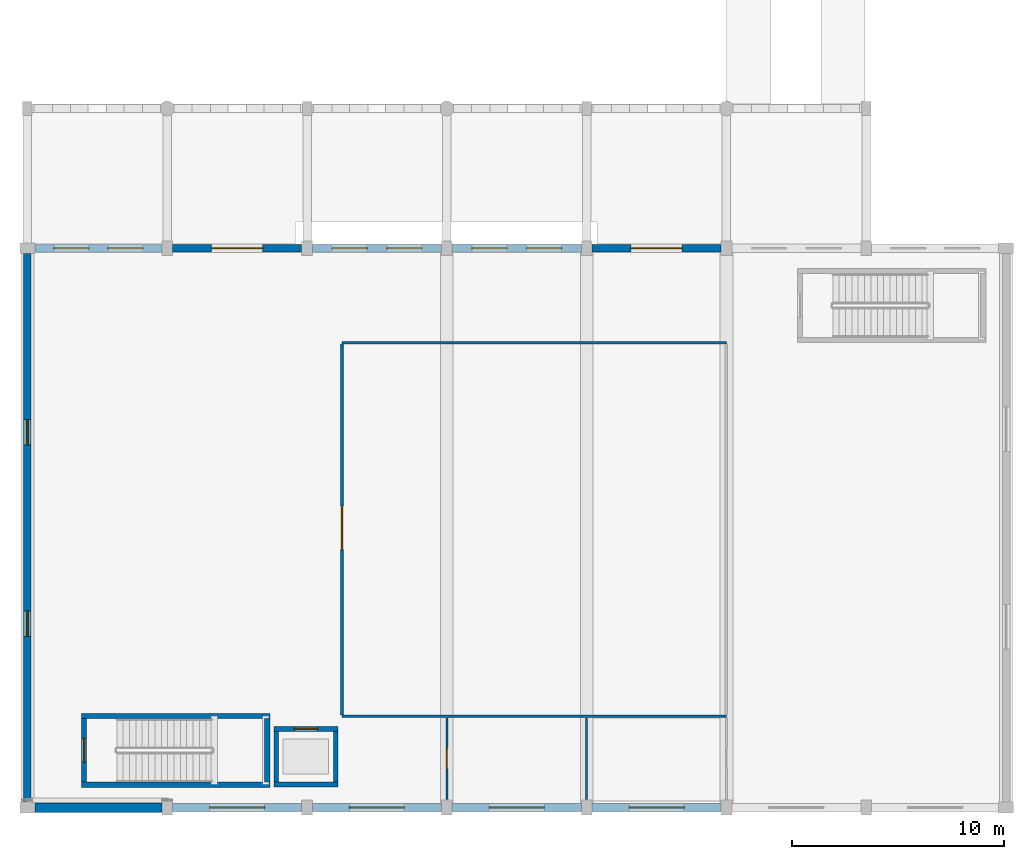
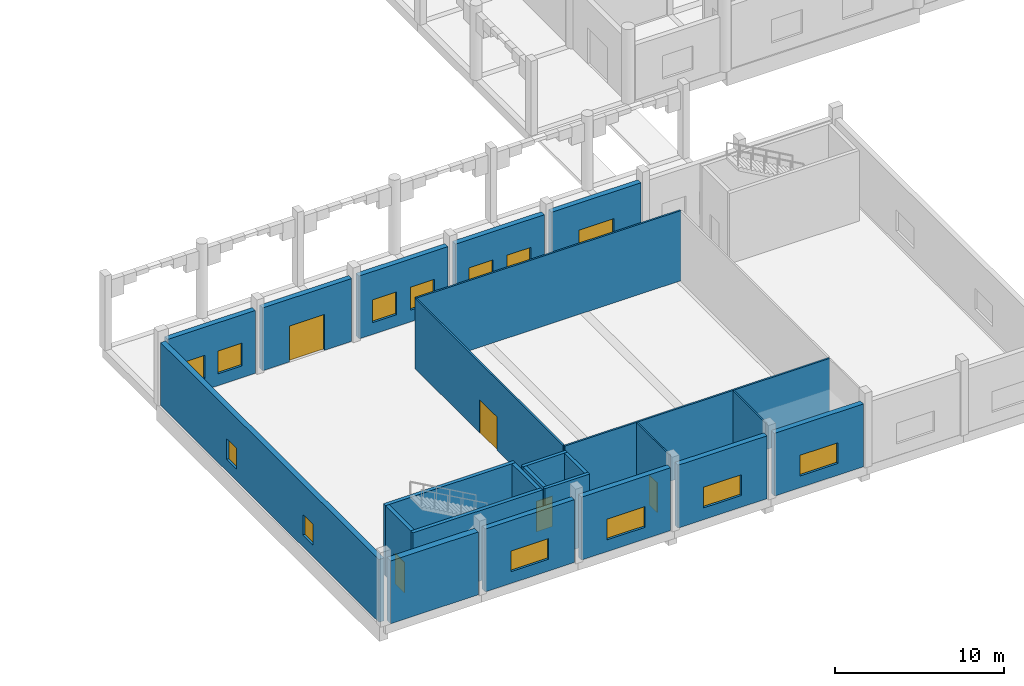
# One storey, part 44 of 72: 24 walls, 12 windows, 6 doors, 18 openings.
"""IFC4 building model written with IfcOpenShell, lengths in metres."""

from ifc_helpers import new_model, si_unit, direction, frame, frame_2d, origin, place, context, subcontext, project, spatial, rectangle, extrude, material, layer, layer_set, type_object, element, fill, save


model = new_model("IFC4")

# Units and contexts
model_context = context("Model", 3, precision=1e-05, world=origin(), true_north=direction((0.0, 1.0)))
body_context = subcontext(model_context, "Body", "Model", "MODEL_VIEW")
ifc_project = project(units=[si_unit("LENGTHUNIT", "METRE"), si_unit("AREAUNIT", "SQUARE_METRE"), si_unit("VOLUMEUNIT", "CUBIC_METRE"), si_unit("PLANEANGLEUNIT", "RADIAN"), si_unit("MASSUNIT", "GRAM", prefix="KILO")], contexts=[model_context])

# Site, building, storey
site_placement = place(None, origin())
site = spatial("IfcSite", under=ifc_project, at=site_placement, CompositionType="ELEMENT")
building_placement = place(site_placement, origin())
building = spatial("IfcBuilding", under=site, at=building_placement, Name="Dornvale Research Institute", CompositionType="ELEMENT")
storey_placement = place(building_placement, origin())
storey = spatial("IfcBuildingStorey", under=building, at=storey_placement, Name="L00", CompositionType="ELEMENT", Elevation=0.0)

# Walls
ifc_material_1 = material(Name="Acoustic Insulated Double-Stud Laboratory Partition")
ifc_layer_1 = layer(ifc_material_1, 0.1201171875)
ifc_layer_set_1 = layer_set([ifc_layer_1], Name="Acoustic Insulated Double-Stud Laboratory Partition")
wall_type_1 = type_object("IfcWallType", Name="Partition_Dry_120", PredefinedType="PARTITIONING", material=ifc_layer_set_1)
for number, where, z_axis, x_axis, name in (
    (1, (14.85009765625, 4.300048828125, 0.0), (0.0, 0.0, 1.0), (1.0, 0.0, 0.0), "L00 V1 interior partition #142"),
    (2, (14.85009765625, 21.949951171875, 0.0), (0.0, 0.0, 1.0), (1.0, 0.0, 0.0), "L00 V1 interior partition #143"),
):
    element("IfcWall", number, at=place(storey_placement, frame(where, z_axis=z_axis, x_axis=x_axis)), inside=storey, type_object=wall_type_1, Name=name, PredefinedType="PARTITIONING", context=body_context, shape_type="SweptSolid", body=[
        extrude(rectangle(XDim=18.14990234375, YDim=0.1201171875, at=frame_2d((9.074951171875, 0.0))), origin(), (0.0, 0.0, 1.0), 5.080078125),
    ])

# Wall, opening, door
wall_1_placement = place(storey_placement, frame((14.85009765625, 4.375, 0.0), z_axis=(0.0, 0.0, 1.0), x_axis=(0.0, 1.0, 0.0)))
wall_1 = element("IfcWall", 3, at=wall_1_placement, inside=storey, type_object=wall_type_1, Name="L00 V1 interior partition #144", PredefinedType="PARTITIONING", context=body_context, shape_type="SweptSolid", body=[
    extrude(rectangle(XDim=17.5, YDim=0.1201171875, at=frame_2d((8.75, 0.0))), origin(), (0.0, 0.0, 1.0), 5.080078125),
])
opening_1_placement = place(wall_1_placement, frame((7.800048828125, 0.0, 0.0)))
opening_1 = element("IfcOpeningElement", 4, at=opening_1_placement, cuts=wall_1, Name="Opening ID-01", PredefinedType="OPENING", context=body_context, shape_type="SweptSolid", body=[
    extrude(rectangle(XDim=2.050048828125, YDim=2.39990234375, at=frame_2d((1.02490234375, 1.199951171875))), frame((0.0, 0.074951171875, 0.0), z_axis=(0.0, -1.0, 0.0), x_axis=(1.0, 0.0, 0.0)), (0.0, 0.0, 1.0), 0.150146484375),
])
ifc_material_2 = material(Name="Insulated Fire-Rated Hollow Metal Door Assembly")
door_type_1 = type_object("IfcDoorType", Name="Door_Auditorium_2050x2400", OperationType="SINGLE_SWING_LEFT", PredefinedType="DOOR", material=ifc_material_2)
door_1_placement = place(opening_1_placement, origin())
door_1 = element("IfcDoor", 5, at=door_1_placement, inside=storey, type_object=door_type_1, Name="L00 Grand Lecture Theatre (280 Fixed Seats) door #58", OperationType="DOUBLE_DOOR_SINGLE_SWING", OverallHeight=2.39990234375, OverallWidth=2.050048828125, PredefinedType="DOOR", context=body_context, shape_type="SweptSolid", body=[
    extrude(rectangle(XDim=2.050048828125, YDim=2.39990234375, at=frame_2d((1.02490234375, 1.199951171875))), frame((0.0, 0.02490234375, 0.0), z_axis=(0.0, -1.0, 0.0), x_axis=(1.0, 0.0, 0.0)), (0.0, 0.0, 1.0), 0.050048828125),
])
fill(opening_1, door_1)

ifc_material_3 = material(Name="Acoustic Insulated Double-Stud Laboratory Partition")
ifc_layer_2 = layer(ifc_material_3, 0.10009765625)
ifc_layer_set_2 = layer_set([ifc_layer_2], Name="Acoustic Insulated Double-Stud Laboratory Partition")
wall_type_2 = type_object("IfcWallType", Name="Partition_Office_100", PredefinedType="PARTITIONING", material=ifc_layer_set_2)
wall_2_placement = place(storey_placement, frame((19.800048828125, 0.3701171875, 0.0), z_axis=(0.0, 0.0, 1.0), x_axis=(0.0, 1.0, 0.0)))
wall_2 = element("IfcWall", 6, at=wall_2_placement, inside=storey, type_object=wall_type_2, Name="L00 V1 interior partition #146", PredefinedType="PARTITIONING", context=body_context, shape_type="SweptSolid", body=[
    extrude(rectangle(XDim=3.85498046875, YDim=0.10009765625, at=frame_2d((1.927490234375, 0.0))), origin(), (0.0, 0.0, 1.0), 5.080078125),
])
opening_2_placement = place(wall_2_placement, frame((1.455078125, 0.0, 0.0)))
opening_2 = element("IfcOpeningElement", 7, at=opening_2_placement, cuts=wall_2, Name="Opening ID-23", PredefinedType="OPENING", context=body_context, shape_type="SweptSolid", body=[
    extrude(rectangle(XDim=0.949951171875, YDim=2.14990234375, at=frame_2d((0.47509765625, 1.074951171875))), frame((0.0, 0.06494140625, 0.0), z_axis=(0.0, -1.0, 0.0), x_axis=(1.0, 0.0, 0.0)), (0.0, 0.0, 1.0), 0.130126953125),
])
ifc_material_4 = material(Name="Phenolic-Faced Solid-Core Laboratory Door Assembly")
door_type_2 = type_object("IfcDoorType", Name="Door_WC_950x2150", OperationType="SINGLE_SWING_LEFT", PredefinedType="DOOR", material=ifc_material_4)
door_2_placement = place(opening_2_placement, origin())
door_2 = element("IfcDoor", 8, at=door_2_placement, inside=storey, type_object=door_type_2, Name="L00 Foyer Public and Accessible Restrooms L00 door #59", OperationType="SINGLE_SWING_RIGHT", OverallHeight=2.14990234375, OverallWidth=0.949951171875, PredefinedType="DOOR", context=body_context, shape_type="SweptSolid", body=[
    extrude(rectangle(XDim=0.949951171875, YDim=2.14990234375, at=frame_2d((0.47509765625, 1.074951171875))), frame((0.0, 0.02490234375, 0.0), z_axis=(0.0, -1.0, 0.0), x_axis=(1.0, 0.0, 0.0)), (0.0, 0.0, 1.0), 0.050048828125),
])
fill(opening_2, door_2)

# Walls
wall_3_placement = place(storey_placement, frame((26.39990234375, 0.3701171875, 0.0), z_axis=(0.0, 0.0, 1.0), x_axis=(0.0, 1.0, 0.0)))
element("IfcWall", 9, at=wall_3_placement, inside=storey, type_object=wall_type_2, Name="L00 V1 interior partition #147", PredefinedType="PARTITIONING", context=body_context, shape_type="SweptSolid", body=[
    extrude(rectangle(XDim=3.85498046875, YDim=0.10009765625, at=frame_2d((1.927490234375, 0.0))), origin(), (0.0, 0.0, 1.0), 5.080078125),
])
ifc_material_5 = material(Name="Concrete f'c 45 MPa (C35/45)", Category="concrete")
ifc_layer_3 = layer(ifc_material_5, 0.25)
ifc_layer_set_3 = layer_set([ifc_layer_3], Name="Concrete f'c 45 MPa (C35/45)")
wall_type_3 = type_object("IfcWallType", Name="ShearWall_Core_250", PredefinedType="SHEAR", material=ifc_layer_set_3)
for number, where, z_axis, x_axis, name in (
    (10, (2.550048828125, 1.074951171875, 0.0), (0.0, 0.0, 1.0), (1.0, 0.0, 0.0), "L00 ST-9 shaft shear wall south"),
    (11, (2.550048828125, 4.324951171875, 0.0), (0.0, 0.0, 1.0), (1.0, 0.0, 0.0), "L00 ST-9 shaft shear wall north"),
):
    element("IfcWall", number, at=place(storey_placement, frame(where, z_axis=z_axis, x_axis=x_axis)), inside=storey, type_object=wall_type_3, Name=name, PredefinedType="SHEAR", context=body_context, shape_type="SweptSolid", body=[
        extrude(rectangle(XDim=8.89990234375, YDim=0.25, at=frame_2d((4.449951171875, 0.0))), origin(), (0.0, 0.0, 1.0), 5.10009765625),
    ])

# Wall, opening, door
wall_4_placement = place(storey_placement, frame((2.675048828125, 1.199951171875, 0.0), z_axis=(0.0, 0.0, 1.0), x_axis=(0.0, 1.0, 0.0)))
wall_4 = element("IfcWall", 12, at=wall_4_placement, inside=storey, type_object=wall_type_3, Name="L00 ST-9 shaft shear wall west", PredefinedType="SHEAR", context=body_context, shape_type="SweptSolid", body=[
    extrude(rectangle(XDim=3.0, YDim=0.25, at=frame_2d((1.5, 0.0))), origin(), (0.0, 0.0, 1.0), 5.10009765625),
])
opening_3_placement = place(wall_4_placement, frame((0.93994140625, 0.0, 0.0)))
opening_3 = element("IfcOpeningElement", 13, at=opening_3_placement, cuts=wall_4, Name="Opening SD-01", PredefinedType="OPENING", context=body_context, shape_type="SweptSolid", body=[
    extrude(rectangle(XDim=1.1201171875, YDim=2.199951171875, at=frame_2d((0.56005859375, 1.10009765625))), frame((0.0, 0.139892578125, 0.0), z_axis=(0.0, -1.0, 0.0), x_axis=(1.0, 0.0, 0.0)), (0.0, 0.0, 1.0), 0.280029296875),
])
ifc_material_6 = material(Name="Insulated Fire-Rated Hollow Metal Door Assembly")
door_type_3 = type_object("IfcDoorType", Name="Door_Stair_1120x2200", OperationType="SINGLE_SWING_LEFT", PredefinedType="DOOR", material=ifc_material_6)
door_3_placement = place(opening_3_placement, origin())
door_3 = element("IfcDoor", 14, at=door_3_placement, inside=storey, type_object=door_type_3, Name="L00 ST-9 exit stair door #59", OperationType="SINGLE_SWING_RIGHT", OverallHeight=2.199951171875, OverallWidth=1.1201171875, PredefinedType="DOOR", context=body_context, shape_type="SweptSolid", body=[
    extrude(rectangle(XDim=1.1201171875, YDim=2.199951171875, at=frame_2d((0.56005859375, 1.10009765625))), frame((0.0, 0.02490234375, 0.0), z_axis=(0.0, -1.0, 0.0), x_axis=(1.0, 0.0, 0.0)), (0.0, 0.0, 1.0), 0.050048828125),
])
fill(opening_3, door_3)

# Walls
wall_5_placement = place(storey_placement, frame((11.324951171875, 1.199951171875, 0.0), z_axis=(0.0, 0.0, 1.0), x_axis=(0.0, 1.0, 0.0)))
element("IfcWall", 15, at=wall_5_placement, inside=storey, type_object=wall_type_3, Name="L00 ST-9 shaft shear wall east", PredefinedType="SHEAR", context=body_context, shape_type="SweptSolid", body=[
    extrude(rectangle(XDim=3.0, YDim=0.25, at=frame_2d((1.5, 0.0))), origin(), (0.0, 0.0, 1.0), 5.10009765625),
])
ifc_material_7 = material(Name="Concrete f'c 45 MPa (C35/45)", Category="concrete")
ifc_layer_4 = layer(ifc_material_7, 0.219970703125)
ifc_layer_set_4 = layer_set([ifc_layer_4], Name="Concrete f'c 45 MPa (C35/45)")
wall_type_4 = type_object("IfcWallType", Name="ShearWall_Shaft_220", PredefinedType="SHEAR", material=ifc_layer_set_4)
wall_6_placement = place(storey_placement, frame((11.6298828125, 1.090087890625, 0.0), z_axis=(0.0, 0.0, 1.0), x_axis=(1.0, 0.0, 0.0)))
element("IfcWall", 16, at=wall_6_placement, inside=storey, type_object=wall_type_4, Name="L00 LP4 elevator shaft wall south", PredefinedType="SHEAR", context=body_context, shape_type="SweptSolid", body=[
    extrude(rectangle(XDim=3.0400390625, YDim=0.219970703125, at=frame_2d((1.52001953125, 0.0))), origin(), (0.0, 0.0, 1.0), 5.10009765625),
])

# Wall, opening, door
wall_7_placement = place(storey_placement, frame((11.6298828125, 3.7099609375, 0.0), z_axis=(0.0, 0.0, 1.0), x_axis=(1.0, 0.0, 0.0)))
wall_7 = element("IfcWall", 17, at=wall_7_placement, inside=storey, type_object=wall_type_4, Name="L00 LP4 elevator shaft wall north", PredefinedType="SHEAR", context=body_context, shape_type="SweptSolid", body=[
    extrude(rectangle(XDim=3.0400390625, YDim=0.219970703125, at=frame_2d((1.52001953125, 0.0))), origin(), (0.0, 0.0, 1.0), 5.10009765625),
])
opening_4_placement = place(wall_7_placement, frame((0.969970703125, 0.0, 0.0)))
opening_4 = element("IfcOpeningElement", 18, at=opening_4_placement, cuts=wall_7, Name="Opening LD-02", PredefinedType="OPENING", context=body_context, shape_type="SweptSolid", body=[
    extrude(rectangle(XDim=1.10009765625, YDim=2.199951171875, at=frame_2d((0.550048828125, 1.10009765625))), frame((0.0, 0.125, 0.0), z_axis=(0.0, -1.0, 0.0), x_axis=(1.0, 0.0, 0.0)), (0.0, 0.0, 1.0), 0.25),
])
ifc_material_8 = material(Name="Brushed Stainless Steel Sliding Elevator Landing Door", Category="steel")
door_type_4 = type_object("IfcDoorType", Name="Door_LiftLanding_Pass_1100x2200", OperationType="SINGLE_SWING_LEFT", PredefinedType="DOOR", material=ifc_material_8)
door_4_placement = place(opening_4_placement, origin())
door_4 = element("IfcDoor", 19, at=door_4_placement, inside=storey, type_object=door_type_4, Name="L00 LP4 sliding elevator landing door #62", OperationType="SLIDING_TO_LEFT", OverallHeight=2.199951171875, OverallWidth=1.10009765625, PredefinedType="DOOR", context=body_context, shape_type="SweptSolid", body=[
    extrude(rectangle(XDim=1.10009765625, YDim=2.199951171875, at=frame_2d((0.550048828125, 1.10009765625))), frame((0.0, 0.02490234375, 0.0), z_axis=(0.0, -1.0, 0.0), x_axis=(1.0, 0.0, 0.0)), (0.0, 0.0, 1.0), 0.050048828125),
])
fill(opening_4, door_4)

# Walls
for number, where, z_axis, x_axis, name in (
    (20, (11.739990234375, 1.199951171875, 0.0), (0.0, 0.0, 1.0), (0.0, 1.0, 0.0), "L00 LP4 elevator shaft wall west"),
    (21, (14.56005859375, 1.199951171875, 0.0), (0.0, 0.0, 1.0), (0.0, 1.0, 0.0), "L00 LP4 elevator shaft wall east"),
):
    element("IfcWall", number, at=place(storey_placement, frame(where, z_axis=z_axis, x_axis=x_axis)), inside=storey, type_object=wall_type_4, Name=name, PredefinedType="SHEAR", context=body_context, shape_type="SweptSolid", body=[
        extrude(rectangle(XDim=2.400146484375, YDim=0.219970703125, at=frame_2d((1.2001953125, 0.0))), origin(), (0.0, 0.0, 1.0), 5.10009765625),
    ])
ifc_material_9 = material(Name="Precast Concrete f'c 40 MPa (C32/40) and Glazed Terracotta Backup Wall", Category="masonry")
ifc_layer_5 = layer(ifc_material_9, 0.449951171875)
ifc_layer_set_5 = layer_set([ifc_layer_5], Name="Precast Concrete f'c 40 MPa (C32/40) and Glazed Terracotta Backup Wall")
wall_type_5 = type_object("IfcWallType", Name="SolidWall_ShearBraceBay_450", PredefinedType="SOLIDWALL", material=ifc_layer_set_5)
wall_8_placement = place(storey_placement, frame((6.35009765625, 0.0, 0.0), z_axis=(0.0, 0.0, 1.0), x_axis=(-1.0, 0.0, 0.0)))
element("IfcWall", 22, at=wall_8_placement, inside=storey, type_object=wall_type_5, Name="L00 V1 south exterior wall #16", PredefinedType="SOLIDWALL", context=body_context, shape_type="SweptSolid", body=[
    extrude(rectangle(XDim=6.0, YDim=0.449951171875, at=frame_2d((3.0, 0.0))), origin(), (0.0, 0.0, 1.0), 4.550048828125),
])

# Wall, openings, windows
ifc_material_10 = material(Name="Catalan Pressed Brick and Insulated Cavity Assembly", Category="masonry")
ifc_layer_6 = layer(ifc_material_10, 0.360107421875)
ifc_layer_set_6 = layer_set([ifc_layer_6], Name="Catalan Pressed Brick and Insulated Cavity Assembly")
wall_type_6 = type_object("IfcWallType", Name="StandardWall_BrickCavity_360", PredefinedType="STANDARD", material=ifc_layer_set_6)
wall_9_placement = place(storey_placement, frame((0.0, 0.25, 0.0), z_axis=(0.0, 0.0, 1.0), x_axis=(0.0, 1.0, 0.0)))
wall_9 = element("IfcWall", 23, at=wall_9_placement, inside=storey, type_object=wall_type_6, Name="L00 V1 west exterior wall #1", PredefinedType="STANDARD", context=body_context, shape_type="SweptSolid", body=[
    extrude(rectangle(XDim=25.89990234375, YDim=0.360107421875, at=frame_2d((12.949951171875, 0.0))), origin(), (0.0, 0.0, 1.0), 4.550048828125),
])
opening_5_placement = place(wall_9_placement, frame((7.833251953125, 0.0, 0.85009765625)))
opening_5 = element("IfcOpeningElement", 24, at=opening_5_placement, cuts=wall_9, Name="Opening W-01", PredefinedType="OPENING", context=body_context, shape_type="SweptSolid", body=[
    extrude(rectangle(XDim=1.199951171875, YDim=1.5, at=frame_2d((0.60009765625, 0.75))), frame((0.0, 0.195068359375, 0.0), z_axis=(0.0, -1.0, 0.0), x_axis=(1.0, 0.0, 0.0)), (0.0, 0.0, 1.0), 0.39013671875),
])
opening_6_placement = place(wall_9_placement, frame((16.86669921875, 0.0, 0.85009765625)))
opening_6 = element("IfcOpeningElement", 25, at=opening_6_placement, cuts=wall_9, Name="Opening W-01", PredefinedType="OPENING", context=body_context, shape_type="SweptSolid", body=[
    extrude(rectangle(XDim=1.199951171875, YDim=1.5, at=frame_2d((0.60009765625, 0.75))), frame((0.0, 0.195068359375, 0.0), z_axis=(0.0, -1.0, 0.0), x_axis=(1.0, 0.0, 0.0)), (0.0, 0.0, 1.0), 0.39013671875),
])
ifc_material_11 = material(Name="Low-E Argon Double Insulating Glazing Unit", Category="glass")
window_type_1 = type_object("IfcWindowType", Name="Window_Alu_1200x1500_01", PartitioningType="SINGLE_PANEL", PredefinedType="WINDOW", material=ifc_material_11)
window_1_placement = place(opening_5_placement, origin())
window_1 = element("IfcWindow", 26, at=window_1_placement, inside=storey, type_object=window_type_1, Name="L00 V1 facade window W-01 #1", OverallHeight=1.5, OverallWidth=1.199951171875, PartitioningType="SINGLE_PANEL", PredefinedType="WINDOW", context=body_context, shape_type="SweptSolid", body=[
    extrude(rectangle(XDim=1.199951171875, YDim=1.5, at=frame_2d((0.60009765625, 0.75))), frame((0.0, 0.030029296875, 0.0), z_axis=(0.0, -1.0, 0.0), x_axis=(1.0, 0.0, 0.0)), (0.0, 0.0, 1.0), 0.06005859375),
])
fill(opening_5, window_1)
window_2_placement = place(opening_6_placement, origin())
window_2 = element("IfcWindow", 27, at=window_2_placement, inside=storey, type_object=window_type_1, Name="L00 V1 facade window W-01 #2", OverallHeight=1.5, OverallWidth=1.199951171875, PartitioningType="SINGLE_PANEL", PredefinedType="WINDOW", context=body_context, shape_type="SweptSolid", body=[
    extrude(rectangle(XDim=1.199951171875, YDim=1.5, at=frame_2d((0.60009765625, 0.75))), frame((0.0, 0.030029296875, 0.0), z_axis=(0.0, -1.0, 0.0), x_axis=(1.0, 0.0, 0.0)), (0.0, 0.0, 1.0), 0.06005859375),
])
fill(opening_6, window_2)

wall_10_placement = place(storey_placement, frame((0.35009765625, 26.39990234375, 0.0), z_axis=(0.0, 0.0, 1.0), x_axis=(1.0, 0.0, 0.0)))
wall_10 = element("IfcWall", 28, at=wall_10_placement, inside=storey, type_object=wall_type_6, Name="L00 V1 north exterior wall #2", PredefinedType="STANDARD", context=body_context, shape_type="SweptSolid", body=[
    extrude(rectangle(XDim=6.0, YDim=0.360107421875, at=frame_2d((3.0, 0.0))), origin(), (0.0, 0.0, 1.0), 4.550048828125),
])
opening_7_placement = place(wall_10_placement, frame((0.89990234375, 0.0, 0.85009765625)))
opening_7 = element("IfcOpeningElement", 29, at=opening_7_placement, cuts=wall_10, Name="Opening W-04", PredefinedType="OPENING", context=body_context, shape_type="SweptSolid", body=[
    extrude(rectangle(XDim=1.64990234375, YDim=1.659912109375, at=frame_2d((0.824951171875, 0.830078125))), frame((0.0, 0.195068359375, 0.0), z_axis=(0.0, -1.0, 0.0), x_axis=(1.0, 0.0, 0.0)), (0.0, 0.0, 1.0), 0.39013671875),
])
opening_8_placement = place(wall_10_placement, frame((3.449951171875, 0.0, 0.85009765625)))
opening_8 = element("IfcOpeningElement", 30, at=opening_8_placement, cuts=wall_10, Name="Opening W-04", PredefinedType="OPENING", context=body_context, shape_type="SweptSolid", body=[
    extrude(rectangle(XDim=1.64990234375, YDim=1.659912109375, at=frame_2d((0.824951171875, 0.830078125))), frame((0.0, 0.195068359375, 0.0), z_axis=(0.0, -1.0, 0.0), x_axis=(1.0, 0.0, 0.0)), (0.0, 0.0, 1.0), 0.39013671875),
])
ifc_material_12 = material(Name="Low-E Argon Double Insulating Glazing Unit", Category="glass")
window_type_2 = type_object("IfcWindowType", Name="Window_Alu_1650x1660_04", PartitioningType="SINGLE_PANEL", PredefinedType="WINDOW", material=ifc_material_12)
window_3_placement = place(opening_7_placement, origin())
window_3 = element("IfcWindow", 31, at=window_3_placement, inside=storey, type_object=window_type_2, Name="L00 V1 facade window W-04 #3", OverallHeight=1.659912109375, OverallWidth=1.64990234375, PartitioningType="SINGLE_PANEL", PredefinedType="WINDOW", context=body_context, shape_type="SweptSolid", body=[
    extrude(rectangle(XDim=1.64990234375, YDim=1.659912109375, at=frame_2d((0.824951171875, 0.830078125))), frame((0.0, 0.030029296875, 0.0), z_axis=(0.0, -1.0, 0.0), x_axis=(1.0, 0.0, 0.0)), (0.0, 0.0, 1.0), 0.06005859375),
])
fill(opening_7, window_3)
window_4_placement = place(opening_8_placement, origin())
window_4 = element("IfcWindow", 32, at=window_4_placement, inside=storey, type_object=window_type_2, Name="L00 V1 facade window W-04 #4", OverallHeight=1.659912109375, OverallWidth=1.64990234375, PartitioningType="SINGLE_PANEL", PredefinedType="WINDOW", context=body_context, shape_type="SweptSolid", body=[
    extrude(rectangle(XDim=1.64990234375, YDim=1.659912109375, at=frame_2d((0.824951171875, 0.830078125))), frame((0.0, 0.030029296875, 0.0), z_axis=(0.0, -1.0, 0.0), x_axis=(1.0, 0.0, 0.0)), (0.0, 0.0, 1.0), 0.06005859375),
])
fill(opening_8, window_4)

# Wall, opening, door
wall_11_placement = place(storey_placement, frame((6.85009765625, 26.39990234375, 0.0), z_axis=(0.0, 0.0, 1.0), x_axis=(1.0, 0.0, 0.0)))
wall_11 = element("IfcWall", 33, at=wall_11_placement, inside=storey, type_object=wall_type_6, Name="L00 V1 north exterior wall #3", PredefinedType="STANDARD", context=body_context, shape_type="SweptSolid", body=[
    extrude(rectangle(XDim=6.099853515625, YDim=0.360107421875, at=frame_2d((3.0498046875, 0.0))), origin(), (0.0, 0.0, 1.0), 4.550048828125),
])
opening_9_placement = place(wall_11_placement, frame((1.85009765625, 0.0, 0.0)))
opening_9 = element("IfcOpeningElement", 34, at=opening_9_placement, cuts=wall_11, Name="Opening ED-01", PredefinedType="OPENING", context=body_context, shape_type="SweptSolid", body=[
    extrude(rectangle(XDim=2.39990234375, YDim=2.60009765625, at=frame_2d((1.199951171875, 1.300048828125))), frame((0.0, 0.195068359375, 0.0), z_axis=(0.0, -1.0, 0.0), x_axis=(1.0, 0.0, 0.0)), (0.0, 0.0, 1.0), 0.39013671875),
])
ifc_material_13 = material(Name="Galvanized Hollow Metal Insulated Door Assembly")
door_type_5 = type_object("IfcDoorType", Name="Door_ExtPortal_2400x2600", OperationType="SINGLE_SWING_LEFT", PredefinedType="DOOR", material=ifc_material_13)
door_5_placement = place(opening_9_placement, origin())
door_5 = element("IfcDoor", 35, at=door_5_placement, inside=storey, type_object=door_type_5, Name="L00 V1 final exit door ED-01 #1", OperationType="DOUBLE_DOOR_SINGLE_SWING", OverallHeight=2.60009765625, OverallWidth=2.39990234375, PredefinedType="DOOR", context=body_context, shape_type="SweptSolid", body=[
    extrude(rectangle(XDim=2.39990234375, YDim=2.60009765625, at=frame_2d((1.199951171875, 1.300048828125))), frame((0.0, 0.02490234375, 0.0), z_axis=(0.0, -1.0, 0.0), x_axis=(1.0, 0.0, 0.0)), (0.0, 0.0, 1.0), 0.050048828125),
])
fill(opening_9, door_5)

# Wall, openings, windows
wall_12_placement = place(storey_placement, frame((13.449951171875, 26.39990234375, 0.0), z_axis=(0.0, 0.0, 1.0), x_axis=(1.0, 0.0, 0.0)))
wall_12 = element("IfcWall", 36, at=wall_12_placement, inside=storey, type_object=wall_type_6, Name="L00 V1 north exterior wall #4", PredefinedType="STANDARD", context=body_context, shape_type="SweptSolid", body=[
    extrude(rectangle(XDim=6.10009765625, YDim=0.360107421875, at=frame_2d((3.050048828125, 0.0))), origin(), (0.0, 0.0, 1.0), 4.550048828125),
])
opening_10_placement = place(wall_12_placement, frame((0.933349609375, 0.0, 0.85009765625)))
opening_10 = element("IfcOpeningElement", 37, at=opening_10_placement, cuts=wall_12, Name="Opening W-04", PredefinedType="OPENING", context=body_context, shape_type="SweptSolid", body=[
    extrude(rectangle(XDim=1.64990234375, YDim=1.659912109375, at=frame_2d((0.824951171875, 0.830078125))), frame((0.0, 0.195068359375, 0.0), z_axis=(0.0, -1.0, 0.0), x_axis=(1.0, 0.0, 0.0)), (0.0, 0.0, 1.0), 0.39013671875),
])
opening_11_placement = place(wall_12_placement, frame((3.5166015625, 0.0, 0.85009765625)))
opening_11 = element("IfcOpeningElement", 38, at=opening_11_placement, cuts=wall_12, Name="Opening W-04", PredefinedType="OPENING", context=body_context, shape_type="SweptSolid", body=[
    extrude(rectangle(XDim=1.64990234375, YDim=1.659912109375, at=frame_2d((0.824951171875, 0.830078125))), frame((0.0, 0.195068359375, 0.0), z_axis=(0.0, -1.0, 0.0), x_axis=(1.0, 0.0, 0.0)), (0.0, 0.0, 1.0), 0.39013671875),
])
window_5_placement = place(opening_10_placement, origin())
window_5 = element("IfcWindow", 39, at=window_5_placement, inside=storey, type_object=window_type_2, Name="L00 V1 facade window W-04 #5", OverallHeight=1.659912109375, OverallWidth=1.64990234375, PartitioningType="SINGLE_PANEL", PredefinedType="WINDOW", context=body_context, shape_type="SweptSolid", body=[
    extrude(rectangle(XDim=1.64990234375, YDim=1.659912109375, at=frame_2d((0.824951171875, 0.830078125))), frame((0.0, 0.030029296875, 0.0), z_axis=(0.0, -1.0, 0.0), x_axis=(1.0, 0.0, 0.0)), (0.0, 0.0, 1.0), 0.06005859375),
])
fill(opening_10, window_5)
window_6_placement = place(opening_11_placement, origin())
window_6 = element("IfcWindow", 40, at=window_6_placement, inside=storey, type_object=window_type_2, Name="L00 V1 facade window W-04 #6", OverallHeight=1.659912109375, OverallWidth=1.64990234375, PartitioningType="SINGLE_PANEL", PredefinedType="WINDOW", context=body_context, shape_type="SweptSolid", body=[
    extrude(rectangle(XDim=1.64990234375, YDim=1.659912109375, at=frame_2d((0.824951171875, 0.830078125))), frame((0.0, 0.030029296875, 0.0), z_axis=(0.0, -1.0, 0.0), x_axis=(1.0, 0.0, 0.0)), (0.0, 0.0, 1.0), 0.06005859375),
])
fill(opening_11, window_6)

wall_13_placement = place(storey_placement, frame((20.050048828125, 26.39990234375, 0.0), z_axis=(0.0, 0.0, 1.0), x_axis=(1.0, 0.0, 0.0)))
wall_13 = element("IfcWall", 41, at=wall_13_placement, inside=storey, type_object=wall_type_6, Name="L00 V1 north exterior wall #5", PredefinedType="STANDARD", context=body_context, shape_type="SweptSolid", body=[
    extrude(rectangle(XDim=6.099853515625, YDim=0.360107421875, at=frame_2d((3.0498046875, 0.0))), origin(), (0.0, 0.0, 1.0), 4.550048828125),
])
opening_12_placement = place(wall_13_placement, frame((0.933349609375, 0.0, 0.85009765625)))
opening_12 = element("IfcOpeningElement", 42, at=opening_12_placement, cuts=wall_13, Name="Opening W-04", PredefinedType="OPENING", context=body_context, shape_type="SweptSolid", body=[
    extrude(rectangle(XDim=1.64990234375, YDim=1.659912109375, at=frame_2d((0.824951171875, 0.830078125))), frame((0.0, 0.195068359375, 0.0), z_axis=(0.0, -1.0, 0.0), x_axis=(1.0, 0.0, 0.0)), (0.0, 0.0, 1.0), 0.39013671875),
])
opening_13_placement = place(wall_13_placement, frame((3.5166015625, 0.0, 0.85009765625)))
opening_13 = element("IfcOpeningElement", 43, at=opening_13_placement, cuts=wall_13, Name="Opening W-04", PredefinedType="OPENING", context=body_context, shape_type="SweptSolid", body=[
    extrude(rectangle(XDim=1.64990234375, YDim=1.659912109375, at=frame_2d((0.824951171875, 0.830078125))), frame((0.0, 0.195068359375, 0.0), z_axis=(0.0, -1.0, 0.0), x_axis=(1.0, 0.0, 0.0)), (0.0, 0.0, 1.0), 0.39013671875),
])
window_7_placement = place(opening_12_placement, origin())
window_7 = element("IfcWindow", 44, at=window_7_placement, inside=storey, type_object=window_type_2, Name="L00 V1 facade window W-04 #7", OverallHeight=1.659912109375, OverallWidth=1.64990234375, PartitioningType="SINGLE_PANEL", PredefinedType="WINDOW", context=body_context, shape_type="SweptSolid", body=[
    extrude(rectangle(XDim=1.64990234375, YDim=1.659912109375, at=frame_2d((0.824951171875, 0.830078125))), frame((0.0, 0.030029296875, 0.0), z_axis=(0.0, -1.0, 0.0), x_axis=(1.0, 0.0, 0.0)), (0.0, 0.0, 1.0), 0.06005859375),
])
fill(opening_12, window_7)
window_8_placement = place(opening_13_placement, origin())
window_8 = element("IfcWindow", 45, at=window_8_placement, inside=storey, type_object=window_type_2, Name="L00 V1 facade window W-04 #8", OverallHeight=1.659912109375, OverallWidth=1.64990234375, PartitioningType="SINGLE_PANEL", PredefinedType="WINDOW", context=body_context, shape_type="SweptSolid", body=[
    extrude(rectangle(XDim=1.64990234375, YDim=1.659912109375, at=frame_2d((0.824951171875, 0.830078125))), frame((0.0, 0.030029296875, 0.0), z_axis=(0.0, -1.0, 0.0), x_axis=(1.0, 0.0, 0.0)), (0.0, 0.0, 1.0), 0.06005859375),
])
fill(opening_13, window_8)

# Wall, opening, door
wall_14_placement = place(storey_placement, frame((26.64990234375, 26.39990234375, 0.0), z_axis=(0.0, 0.0, 1.0), x_axis=(1.0, 0.0, 0.0)))
wall_14 = element("IfcWall", 46, at=wall_14_placement, inside=storey, type_object=wall_type_6, Name="L00 V1 north exterior wall #6", PredefinedType="STANDARD", context=body_context, shape_type="SweptSolid", body=[
    extrude(rectangle(XDim=6.10009765625, YDim=0.360107421875, at=frame_2d((3.050048828125, 0.0))), origin(), (0.0, 0.0, 1.0), 4.550048828125),
])
opening_14_placement = place(wall_14_placement, frame((1.85009765625, 0.0, 0.0)))
opening_14 = element("IfcOpeningElement", 47, at=opening_14_placement, cuts=wall_14, Name="Opening ED-01", PredefinedType="OPENING", context=body_context, shape_type="SweptSolid", body=[
    extrude(rectangle(XDim=2.39990234375, YDim=2.60009765625, at=frame_2d((1.199951171875, 1.300048828125))), frame((0.0, 0.195068359375, 0.0), z_axis=(0.0, -1.0, 0.0), x_axis=(1.0, 0.0, 0.0)), (0.0, 0.0, 1.0), 0.39013671875),
])
door_6_placement = place(opening_14_placement, origin())
door_6 = element("IfcDoor", 48, at=door_6_placement, inside=storey, type_object=door_type_5, Name="L00 V1 final exit door ED-01 #2", OperationType="DOUBLE_DOOR_SINGLE_SWING", OverallHeight=2.60009765625, OverallWidth=2.39990234375, PredefinedType="DOOR", context=body_context, shape_type="SweptSolid", body=[
    extrude(rectangle(XDim=2.39990234375, YDim=2.60009765625, at=frame_2d((1.199951171875, 1.300048828125))), frame((0.0, 0.02490234375, 0.0), z_axis=(0.0, -1.0, 0.0), x_axis=(1.0, 0.0, 0.0)), (0.0, 0.0, 1.0), 0.050048828125),
])
fill(opening_14, door_6)

# Wall, opening, window
wall_15_placement = place(storey_placement, frame((32.75, 0.0, 0.0), z_axis=(0.0, 0.0, 1.0), x_axis=(-1.0, 0.0, 0.0)))
wall_15 = element("IfcWall", 49, at=wall_15_placement, inside=storey, type_object=wall_type_6, Name="L00 V1 south exterior wall #12", PredefinedType="STANDARD", context=body_context, shape_type="SweptSolid", body=[
    extrude(rectangle(XDim=6.10009765625, YDim=0.360107421875, at=frame_2d((3.050048828125, 0.0))), origin(), (0.0, 0.0, 1.0), 4.550048828125),
])
opening_15_placement = place(wall_15_placement, frame((1.75, 0.0, 0.85009765625)))
opening_15 = element("IfcOpeningElement", 50, at=opening_15_placement, cuts=wall_15, Name="Opening W-10", PredefinedType="OPENING", context=body_context, shape_type="SweptSolid", body=[
    extrude(rectangle(XDim=2.60009765625, YDim=1.5, at=frame_2d((1.300048828125, 0.75))), frame((0.0, 0.195068359375, 0.0), z_axis=(0.0, -1.0, 0.0), x_axis=(1.0, 0.0, 0.0)), (0.0, 0.0, 1.0), 0.39013671875),
])
ifc_material_14 = material(Name="Low-E Argon Double Insulating Glazing Unit", Category="glass")
window_type_3 = type_object("IfcWindowType", Name="Window_Alu_2600x1500_10", PartitioningType="DOUBLE_PANEL_VERTICAL", PredefinedType="WINDOW", material=ifc_material_14)
window_9_placement = place(opening_15_placement, origin())
window_9 = element("IfcWindow", 51, at=window_9_placement, inside=storey, type_object=window_type_3, Name="L00 V1 facade window W-10 #17", OverallHeight=1.5, OverallWidth=2.60009765625, PartitioningType="DOUBLE_PANEL_VERTICAL", PredefinedType="WINDOW", context=body_context, shape_type="SweptSolid", body=[
    extrude(rectangle(XDim=2.60009765625, YDim=1.5, at=frame_2d((1.300048828125, 0.75))), frame((0.0, 0.030029296875, 0.0), z_axis=(0.0, -1.0, 0.0), x_axis=(1.0, 0.0, 0.0)), (0.0, 0.0, 1.0), 0.06005859375),
])
fill(opening_15, window_9)

wall_16_placement = place(storey_placement, frame((26.14990234375, 0.0, 0.0), z_axis=(0.0, 0.0, 1.0), x_axis=(-1.0, 0.0, 0.0)))
wall_16 = element("IfcWall", 52, at=wall_16_placement, inside=storey, type_object=wall_type_6, Name="L00 V1 south exterior wall #13", PredefinedType="STANDARD", context=body_context, shape_type="SweptSolid", body=[
    extrude(rectangle(XDim=6.099853515625, YDim=0.360107421875, at=frame_2d((3.0498046875, 0.0))), origin(), (0.0, 0.0, 1.0), 4.550048828125),
])
opening_16_placement = place(wall_16_placement, frame((1.75, 0.0, 0.85009765625)))
opening_16 = element("IfcOpeningElement", 53, at=opening_16_placement, cuts=wall_16, Name="Opening W-10", PredefinedType="OPENING", context=body_context, shape_type="SweptSolid", body=[
    extrude(rectangle(XDim=2.60009765625, YDim=1.5, at=frame_2d((1.300048828125, 0.75))), frame((0.0, 0.195068359375, 0.0), z_axis=(0.0, -1.0, 0.0), x_axis=(1.0, 0.0, 0.0)), (0.0, 0.0, 1.0), 0.39013671875),
])
window_10_placement = place(opening_16_placement, origin())
window_10 = element("IfcWindow", 54, at=window_10_placement, inside=storey, type_object=window_type_3, Name="L00 V1 facade window W-10 #18", OverallHeight=1.5, OverallWidth=2.60009765625, PartitioningType="DOUBLE_PANEL_VERTICAL", PredefinedType="WINDOW", context=body_context, shape_type="SweptSolid", body=[
    extrude(rectangle(XDim=2.60009765625, YDim=1.5, at=frame_2d((1.300048828125, 0.75))), frame((0.0, 0.030029296875, 0.0), z_axis=(0.0, -1.0, 0.0), x_axis=(1.0, 0.0, 0.0)), (0.0, 0.0, 1.0), 0.06005859375),
])
fill(opening_16, window_10)

wall_17_placement = place(storey_placement, frame((19.550048828125, 0.0, 0.0), z_axis=(0.0, 0.0, 1.0), x_axis=(-1.0, 0.0, 0.0)))
wall_17 = element("IfcWall", 55, at=wall_17_placement, inside=storey, type_object=wall_type_6, Name="L00 V1 south exterior wall #14", PredefinedType="STANDARD", context=body_context, shape_type="SweptSolid", body=[
    extrude(rectangle(XDim=6.10009765625, YDim=0.360107421875, at=frame_2d((3.050048828125, 0.0))), origin(), (0.0, 0.0, 1.0), 4.550048828125),
])
opening_17_placement = place(wall_17_placement, frame((1.75, 0.0, 0.85009765625)))
opening_17 = element("IfcOpeningElement", 56, at=opening_17_placement, cuts=wall_17, Name="Opening W-10", PredefinedType="OPENING", context=body_context, shape_type="SweptSolid", body=[
    extrude(rectangle(XDim=2.60009765625, YDim=1.5, at=frame_2d((1.300048828125, 0.75))), frame((0.0, 0.195068359375, 0.0), z_axis=(0.0, -1.0, 0.0), x_axis=(1.0, 0.0, 0.0)), (0.0, 0.0, 1.0), 0.39013671875),
])
window_11_placement = place(opening_17_placement, origin())
window_11 = element("IfcWindow", 57, at=window_11_placement, inside=storey, type_object=window_type_3, Name="L00 V1 facade window W-10 #19", OverallHeight=1.5, OverallWidth=2.60009765625, PartitioningType="DOUBLE_PANEL_VERTICAL", PredefinedType="WINDOW", context=body_context, shape_type="SweptSolid", body=[
    extrude(rectangle(XDim=2.60009765625, YDim=1.5, at=frame_2d((1.300048828125, 0.75))), frame((0.0, 0.030029296875, 0.0), z_axis=(0.0, -1.0, 0.0), x_axis=(1.0, 0.0, 0.0)), (0.0, 0.0, 1.0), 0.06005859375),
])
fill(opening_17, window_11)

wall_18_placement = place(storey_placement, frame((12.949951171875, 0.0, 0.0), z_axis=(0.0, 0.0, 1.0), x_axis=(-1.0, 0.0, 0.0)))
wall_18 = element("IfcWall", 58, at=wall_18_placement, inside=storey, type_object=wall_type_6, Name="L00 V1 south exterior wall #15", PredefinedType="STANDARD", context=body_context, shape_type="SweptSolid", body=[
    extrude(rectangle(XDim=6.099853515625, YDim=0.360107421875, at=frame_2d((3.0498046875, 0.0))), origin(), (0.0, 0.0, 1.0), 4.550048828125),
])
opening_18_placement = place(wall_18_placement, frame((1.75, 0.0, 0.85009765625)))
opening_18 = element("IfcOpeningElement", 59, at=opening_18_placement, cuts=wall_18, Name="Opening W-10", PredefinedType="OPENING", context=body_context, shape_type="SweptSolid", body=[
    extrude(rectangle(XDim=2.60009765625, YDim=1.5, at=frame_2d((1.300048828125, 0.75))), frame((0.0, 0.195068359375, 0.0), z_axis=(0.0, -1.0, 0.0), x_axis=(1.0, 0.0, 0.0)), (0.0, 0.0, 1.0), 0.39013671875),
])
window_12_placement = place(opening_18_placement, origin())
window_12 = element("IfcWindow", 60, at=window_12_placement, inside=storey, type_object=window_type_3, Name="L00 V1 facade window W-10 #20", OverallHeight=1.5, OverallWidth=2.60009765625, PartitioningType="DOUBLE_PANEL_VERTICAL", PredefinedType="WINDOW", context=body_context, shape_type="SweptSolid", body=[
    extrude(rectangle(XDim=2.60009765625, YDim=1.5, at=frame_2d((1.300048828125, 0.75))), frame((0.0, 0.030029296875, 0.0), z_axis=(0.0, -1.0, 0.0), x_axis=(1.0, 0.0, 0.0)), (0.0, 0.0, 1.0), 0.06005859375),
])
fill(opening_18, window_12)

save(model, "model.ifc")
